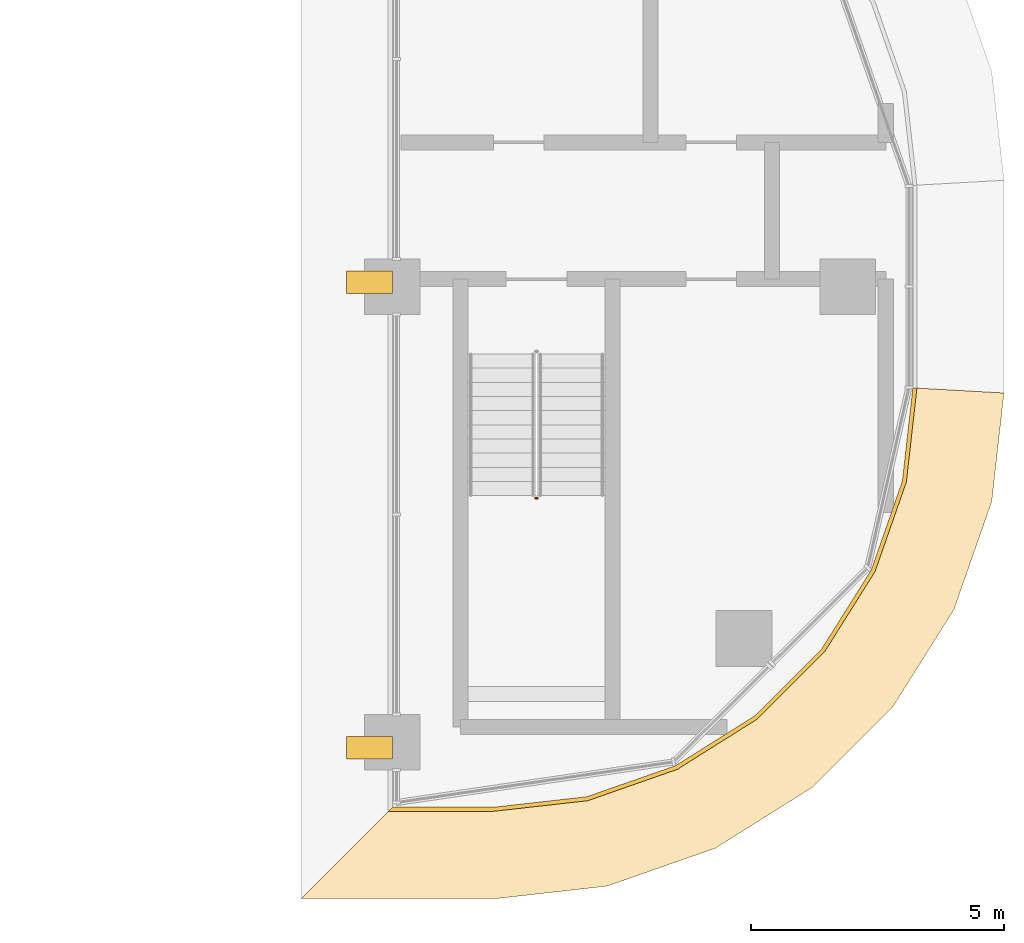
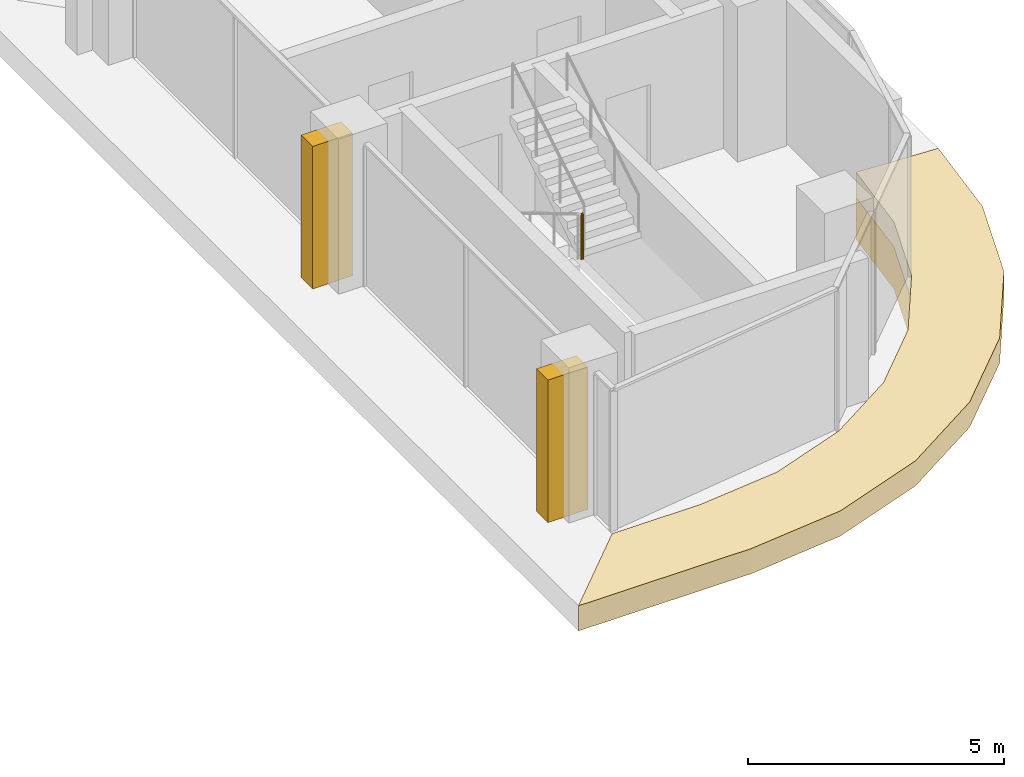
# One storey, part 22 of 27: 4 coverings, 1 railing.
"""IFC4 building model written with IfcOpenShell, lengths in metres."""

from ifc_helpers import new_model, si_unit, direction, frame, origin, origin_2d, place, context, subcontext, project, spatial, polyline, rectangle, circle, outline, extrude, material, layer, layer_set, type_object, element, save


model = new_model("IFC4")

# Units and contexts
model_context = context("Model", 3, precision=1e-05, world=origin(), true_north=direction((0.0, 1.0)))
body_context = subcontext(model_context, "Body", "Model", "MODEL_VIEW")
ifc_project = project(units=[si_unit("LENGTHUNIT", "METRE"), si_unit("AREAUNIT", "SQUARE_METRE"), si_unit("VOLUMEUNIT", "CUBIC_METRE"), si_unit("PLANEANGLEUNIT", "RADIAN"), si_unit("MASSUNIT", "GRAM", prefix="KILO")], contexts=[model_context])

# Site, building, storey
site_placement = place(None, origin())
site = spatial("IfcSite", under=ifc_project, at=site_placement, CompositionType="ELEMENT")
building_placement = place(site_placement, origin())
building = spatial("IfcBuilding", under=site, at=building_placement, Name="Ogive Portal Towers", CompositionType="ELEMENT")
storey_placement = place(building_placement, frame((0.0, 0.0, 160.699951171875)))
storey = spatial("IfcBuildingStorey", under=building, at=storey_placement, Name="L39", CompositionType="ELEMENT", Elevation=160.699951171875)

# Coverings
ifc_material_1 = material(Name="Limestone cladding on lightweight block wall", Category="masonry")
ifc_layer_1 = layer(ifc_material_1, 0.449951171875)
ifc_layer_set_1 = layer_set([ifc_layer_1], Name="BUTTRESS PIER STONE")
covering_type_1 = type_object("IfcCoveringType", Name="BUTTRESS PIER STONE", PredefinedType="CLADDING", material=ifc_layer_set_1)
for number, where, z_axis, x_axis, name in (
    (1, (85.050048828125, 30.58447265625, 0.0), (0.0, 0.0, 1.0), (1.0, 0.0, 0.0), "Buttress pier A2-F01.1"),
    (2, (85.050048828125, 21.39208984375, 0.0), (0.0, 0.0, 1.0), (1.0, 0.0, 0.0), "Buttress pier A2-F01.3"),
):
    element("IfcCovering", number, at=place(storey_placement, frame(where, z_axis=z_axis, x_axis=x_axis)), inside=storey, type_object=covering_type_1, Name=name, PredefinedType="CLADDING", context=body_context, shape_type="SweptSolid", body=[
        extrude(rectangle(XDim=0.89990234375, YDim=0.449951171875, at=origin_2d()), origin(), (0.0, 0.0, 1.0), 3.39990234375),
    ])

# Railing
ifc_material_2 = material(Name="Stainless steel balustrade", Category="steel")
railing_type = type_object("IfcRailingType", Name="INT-GUARD", PredefinedType="GUARDRAIL", material=ifc_material_2)
railing_placement = place(storey_placement, frame((88.330078125, 26.320068359375, 1.85009765625)))
element("IfcRailing", 3, at=railing_placement, inside=storey, type_object=railing_type, Name="L39 ST-A4 stair guard 2", PredefinedType="GUARDRAIL", context=body_context, shape_type="SweptSolid", body=[
    extrude(circle(Radius=0.02392578125, at=origin_2d()), frame((0.0, 0.0, 1.076171875), z_axis=(1.0, 0.0, 0.0), x_axis=(0.0, 1.0, 0.0)), (0.0, 0.0, 1.0), 0.0400390625),
    extrude(circle(Radius=0.02099609375, at=origin_2d()), origin(), (0.0, 0.0, 1.0), 1.052001953125),
    extrude(circle(Radius=0.02099609375, at=origin_2d()), frame((0.0400390625, 0.0, 0.0)), (0.0, 0.0, 1.0), 1.052001953125),
])

# Coverings
ifc_layer_2 = layer(ifc_material_1, 0.080078125)
ifc_layer_set_2 = layer_set([ifc_layer_2], Name="STONE SPANDREL 80")
covering_type_2 = type_object("IfcCoveringType", Name="STONE SPANDREL 80", PredefinedType="CLADDING", material=ifc_layer_set_2)
covering_1_placement = place(storey_placement, frame((0.0, 0.0, -1.599853515625)))
element("IfcCovering", 4, at=covering_1_placement, inside=storey, type_object=covering_type_2, Name="Stone spandrel A2-F02", PredefinedType="CLADDING", context=body_context, shape_type="SweptSolid", body=[
    extrude(outline(polyline([(85.5, 20.215087890625), (87.5, 20.215087890625), (89.343505859375, 20.422607421875), (91.0947265625, 21.035400390625), (92.66552734375, 22.0224609375), (93.9775390625, 23.33447265625), (94.964599609375, 24.9052734375), (95.577392578125, 26.656494140625), (95.784912109375, 28.5), (95.864990234375, 28.49560546875), (95.65576171875, 26.638427734375), (95.037109375, 24.870361328125), (94.04052734375, 23.2841796875), (92.7158203125, 21.95947265625), (91.129638671875, 20.962890625), (89.361572265625, 20.34423828125), (87.50439453125, 20.135009765625), (85.419921875, 20.135009765625), (85.5, 20.215087890625)])), origin(), (0.0, 0.0, 1.0), 1.0),
])
ifc_layer_3 = layer(ifc_material_1, 0.60009765625)
ifc_layer_set_3 = layer_set([ifc_layer_3], Name="SUNSHADE LIP 600")
covering_type_3 = type_object("IfcCoveringType", Name="SUNSHADE LIP 600", PredefinedType="CLADDING", material=ifc_layer_set_3)
covering_2_placement = place(storey_placement, frame((0.0, 0.0, -0.599853515625)))
element("IfcCovering", 5, at=covering_2_placement, inside=storey, type_object=covering_type_3, Name="Sunshade lip A2-F02", PredefinedType="CLADDING", context=body_context, shape_type="SweptSolid", body=[
    extrude(outline(polyline([(85.5, 20.215087890625), (87.5, 20.215087890625), (89.343505859375, 20.422607421875), (91.0947265625, 21.035400390625), (92.66552734375, 22.0224609375), (93.9775390625, 23.33447265625), (94.964599609375, 24.9052734375), (95.577392578125, 26.656494140625), (95.784912109375, 28.5), (97.5849609375, 28.39892578125), (97.34326171875, 26.25341796875), (96.596435546875, 24.119384765625), (95.3935546875, 22.205078125), (93.794921875, 20.6064453125), (91.880615234375, 19.403564453125), (89.74658203125, 18.65673828125), (87.60107421875, 18.4150390625), (83.699951171875, 18.4150390625), (85.5, 20.215087890625)])), origin(), (0.0, 0.0, 1.0), 0.599853515625),
])

save(model, "model.ifc")
